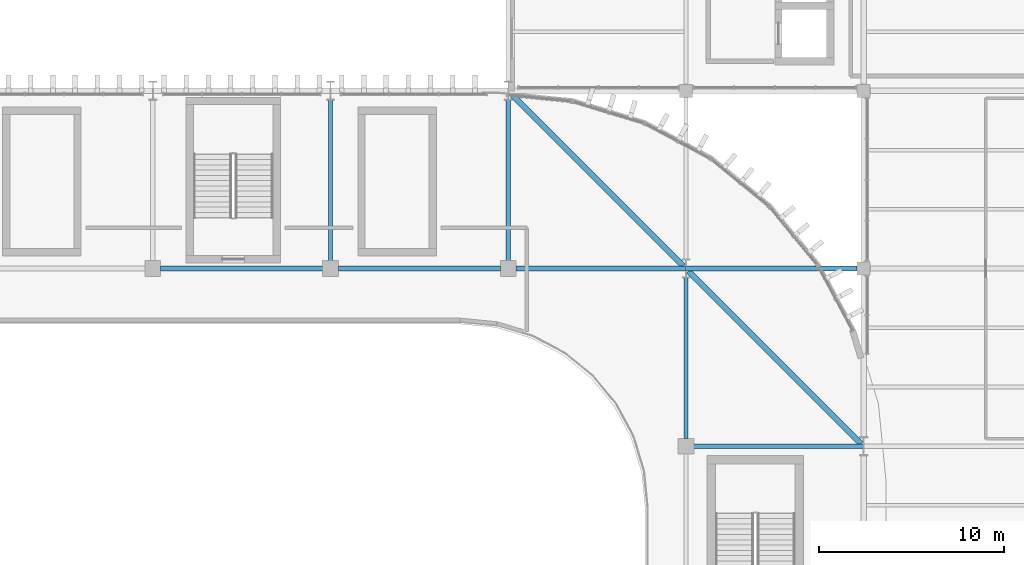
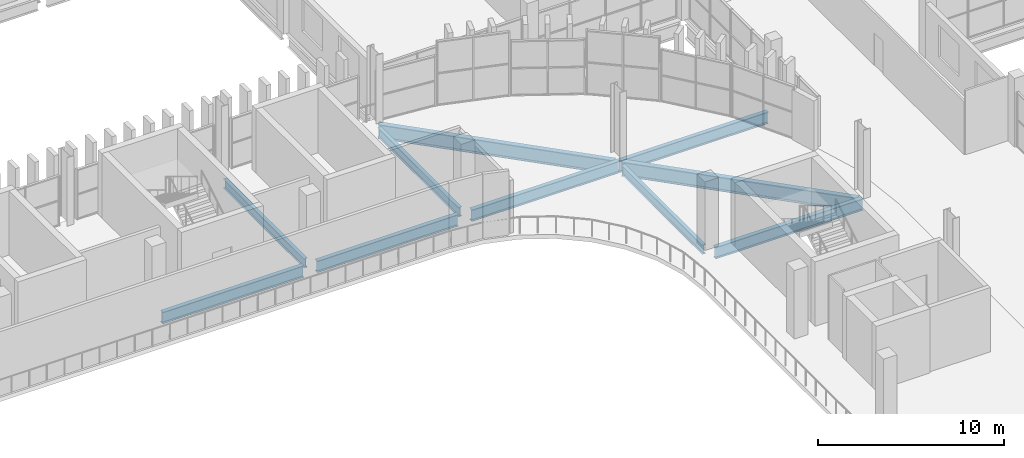
# One storey, part 33 of 92: 10 beams.
"""IFC4 building model written with IfcOpenShell, lengths in metres."""

from ifc_helpers import new_model, si_unit, direction, frame, origin, origin_2d, place, context, subcontext, project, spatial, i_section, extrude, material, material_profile, profile_set, type_object, element, save


model = new_model("IFC4")

# Units and contexts
model_context = context("Model", 3, precision=1e-05, world=origin(), true_north=direction((0.0, 1.0)))
body_context = subcontext(model_context, "Body", "Model", "MODEL_VIEW")
ifc_project = project(units=[si_unit("LENGTHUNIT", "METRE"), si_unit("AREAUNIT", "SQUARE_METRE"), si_unit("VOLUMEUNIT", "CUBIC_METRE"), si_unit("PLANEANGLEUNIT", "RADIAN"), si_unit("MASSUNIT", "GRAM", prefix="KILO")], contexts=[model_context])

# Site, building, storey
site_placement = place(None, origin())
site = spatial("IfcSite", under=ifc_project, at=site_placement, CompositionType="ELEMENT")
building_placement = place(site_placement, origin())
building = spatial("IfcBuilding", under=site, at=building_placement, Name="Caelomonte Colonnade Arena", CompositionType="ELEMENT")
storey_placement = place(building_placement, frame((0.0, 0.0, 9.60009765625)))
storey = spatial("IfcBuildingStorey", under=building, at=storey_placement, Name="L02", CompositionType="ELEMENT", Elevation=9.60009765625)

# Beams
ifc_material = material(Name="Wide-flange steel ASTM A992 Grade 50", Category="steel")
ifc_material_profile_1 = material_profile(ifc_material, i_section(OverallWidth=0.307861328125, OverallDepth=0.927001953125, WebThickness=0.019287109375, FlangeThickness=0.031982421875, FilletRadius=0.020263671875, at=origin_2d()), Name="W36X194")
ifc_profile_set_1 = profile_set([ifc_material_profile_1], Name="Wide-flange steel ASTM A992 Grade 50")
beam_type_1 = type_object("IfcBeamType", Name="STR-BM-EAVES2", PredefinedType="SPANDREL", material=ifc_profile_set_1)
for number, where, z_axis, x_axis, name in (
    (1, (163.0576171875, 96.142578125, -0.74365234375), (-0.707116047487, 0.707097514764, 0.0), (-0.707097514764, -0.707116047487, 0.0), "L02 drum corner ring girder 5"),
    (2, (153.45751953125, 105.742431640625, -0.74365234375), (-0.707097514764, 0.707116047487, 0.0), (-0.707116047487, -0.707097514764, 0.0), "L02 drum corner ring girder 6"),
):
    element("IfcBeam", number, at=place(storey_placement, frame(where, z_axis=z_axis, x_axis=x_axis)), inside=storey, type_object=beam_type_1, Name=name, PredefinedType="SPANDREL", context=body_context, shape_type="SweptSolid", body=[
        extrude(i_section(OverallWidth=0.307861328125, OverallDepth=0.927001953125, WebThickness=0.019287109375, FlangeThickness=0.031982421875, FilletRadius=0.020263671875, at=origin_2d()), origin(), (0.0, 0.0, 1.0), 13.173583984375),
    ])
ifc_material_profile_2 = material_profile(ifc_material, i_section(OverallWidth=0.228271484375, OverallDepth=0.607177734375, WebThickness=0.01123046875, FlangeThickness=0.017333984375, FilletRadius=0.0126953125, at=origin_2d()), Name="W24X76")
ifc_profile_set_2 = profile_set([ifc_material_profile_2], Name="Wide-flange steel ASTM A992 Grade 50")
beam_type_2 = type_object("IfcBeamType", Name="STR-BM-GIRD24", PredefinedType="BEAM", material=ifc_profile_set_2)
for number, where, z_axis, x_axis, name in (
    (3, (134.39990234375, 106.01708984375, -0.58349609375), (0.0, 1.0, 0.0), (-1.0, 0.0, 0.0), "L02 girder BMY-L02-1344-1056"),
    (4, (144.0, 106.01708984375, -0.58349609375), (0.0, 1.0, 0.0), (-1.0, 0.0, 0.0), "L02 girder BMY-L02-1440-1056"),
    (5, (153.60009765625, 96.4169921875, -0.58349609375), (0.0, 1.0, 0.0), (-1.0, 0.0, 0.0), "L02 girder BMY-L02-1536-0960"),
):
    element("IfcBeam", number, at=place(storey_placement, frame(where, z_axis=z_axis, x_axis=x_axis)), inside=storey, type_object=beam_type_2, Name=name, PredefinedType="BEAM", context=body_context, shape_type="SweptSolid", body=[
        extrude(i_section(OverallWidth=0.228271484375, OverallDepth=0.607177734375, WebThickness=0.01123046875, FlangeThickness=0.017333984375, FilletRadius=0.0126953125, at=origin_2d()), origin(), (0.0, 0.0, 1.0), 8.685546875),
    ])
ifc_material_profile_3 = material_profile(ifc_material, i_section(OverallWidth=0.2666015625, OverallDepth=0.761962890625, WebThickness=0.014404296875, FlangeThickness=0.021484375, FilletRadius=0.0166015625, at=origin_2d()), Name="W30X116")
ifc_profile_set_3 = profile_set([ifc_material_profile_3], Name="Wide-flange steel ASTM A992 Grade 50")
beam_type_3 = type_object("IfcBeamType", Name="STR-BM-GIRD30", PredefinedType="BEAM", material=ifc_profile_set_3)
beam_1_placement = place(storey_placement, frame((154.01708984375, 96.0, -0.6611328125), z_axis=(1.0, 0.0, 0.0), x_axis=(0.0, 1.0, 0.0)))
element("IfcBeam", 6, at=beam_1_placement, inside=storey, type_object=beam_type_3, Name="L02 girder BMX-L02-1536-0960", PredefinedType="BEAM", context=body_context, shape_type="SweptSolid", body=[
    extrude(i_section(OverallWidth=0.2666015625, OverallDepth=0.761962890625, WebThickness=0.014404296875, FlangeThickness=0.021484375, FilletRadius=0.0166015625, at=origin_2d()), origin(), (0.0, 0.0, 1.0), 9.171142578125),
])
beam_2_placement = place(storey_placement, frame((125.217041015625, 105.60009765625, -0.6611328125), z_axis=(1.0, 0.0, 0.0), x_axis=(0.0, 1.0, 0.0)))
element("IfcBeam", 7, at=beam_2_placement, inside=storey, type_object=beam_type_3, Name="L02 girder BMX-L02-1248-1056", PredefinedType="BEAM", context=body_context, shape_type="SweptSolid", body=[
    extrude(i_section(OverallWidth=0.2666015625, OverallDepth=0.761962890625, WebThickness=0.014404296875, FlangeThickness=0.021484375, FilletRadius=0.0166015625, at=origin_2d()), origin(), (0.0, 0.0, 1.0), 8.765869140625),
])
beam_3_placement = place(storey_placement, frame((134.81689453125, 105.60009765625, -0.6611328125), z_axis=(1.0, 0.0, 0.0), x_axis=(0.0, 1.0, 0.0)))
element("IfcBeam", 8, at=beam_3_placement, inside=storey, type_object=beam_type_3, Name="L02 girder BMX-L02-1344-1056", PredefinedType="BEAM", context=body_context, shape_type="SweptSolid", body=[
    extrude(i_section(OverallWidth=0.2666015625, OverallDepth=0.761962890625, WebThickness=0.014404296875, FlangeThickness=0.021484375, FilletRadius=0.0166015625, at=origin_2d()), origin(), (0.0, 0.0, 1.0), 8.76611328125),
])
beam_4_placement = place(storey_placement, frame((144.4169921875, 105.60009765625, -0.6611328125), z_axis=(1.0, 0.0, 0.0), x_axis=(0.0, 1.0, 0.0)))
element("IfcBeam", 9, at=beam_4_placement, inside=storey, type_object=beam_type_3, Name="L02 girder BMX-L02-1440-1056", PredefinedType="BEAM", context=body_context, shape_type="SweptSolid", body=[
    extrude(i_section(OverallWidth=0.2666015625, OverallDepth=0.761962890625, WebThickness=0.014404296875, FlangeThickness=0.021484375, FilletRadius=0.0166015625, at=origin_2d()), origin(), (0.0, 0.0, 1.0), 9.171142578125),
])
beam_5_placement = place(storey_placement, frame((153.61181640625, 105.60009765625, -0.6611328125), z_axis=(1.0, 0.0, 0.0), x_axis=(0.0, 1.0, 0.0)))
element("IfcBeam", 10, at=beam_5_placement, inside=storey, type_object=beam_type_3, Name="L02 girder BMX-L02-1536-1056", PredefinedType="BEAM", context=body_context, shape_type="SweptSolid", body=[
    extrude(i_section(OverallWidth=0.2666015625, OverallDepth=0.761962890625, WebThickness=0.014404296875, FlangeThickness=0.021484375, FilletRadius=0.0166015625, at=origin_2d()), origin(), (0.0, 0.0, 1.0), 9.22119140625),
])

save(model, "model.ifc")
